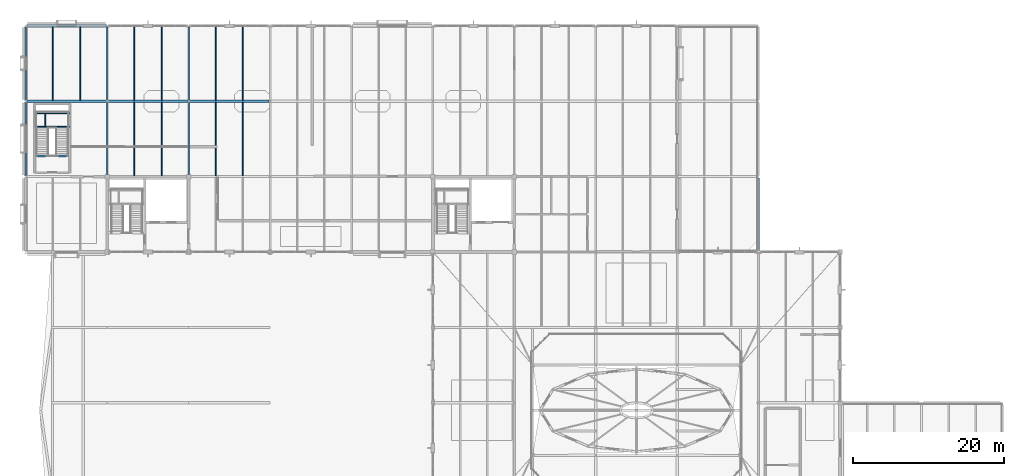
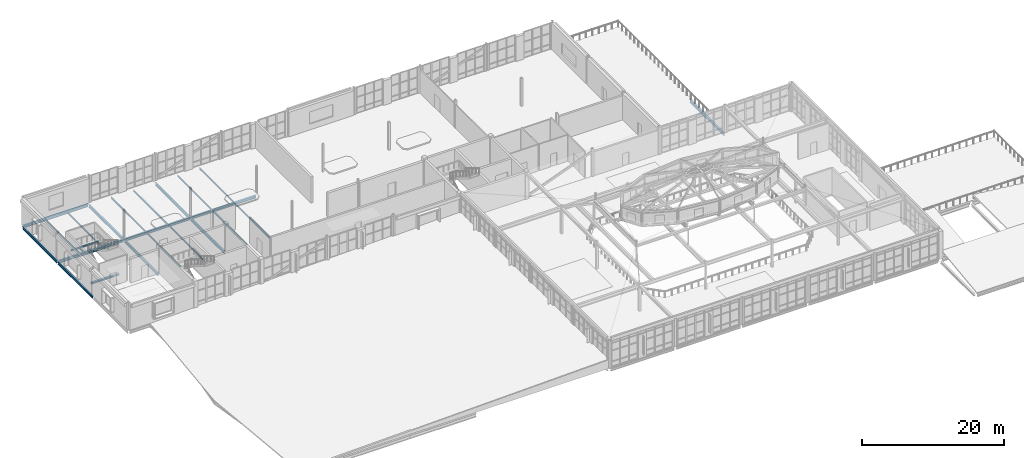
# One storey, part 45 of 86: 25 beams.
"""IFC4 building model written with IfcOpenShell, lengths in metres."""

from ifc_helpers import new_model, si_unit, direction, frame, origin, origin_2d, place, context, subcontext, project, spatial, i_section, extrude, material, material_profile, profile_set, type_object, element, save


model = new_model("IFC4")

# Units and contexts
model_context = context("Model", 3, precision=1e-05, world=origin(), true_north=direction((0.0, 1.0)))
body_context = subcontext(model_context, "Body", "Model", "MODEL_VIEW")
ifc_project = project(units=[si_unit("LENGTHUNIT", "METRE"), si_unit("AREAUNIT", "SQUARE_METRE"), si_unit("VOLUMEUNIT", "CUBIC_METRE"), si_unit("PLANEANGLEUNIT", "RADIAN"), si_unit("MASSUNIT", "GRAM", prefix="KILO")], contexts=[model_context])

# Site, building, storey
site_placement = place(None, origin())
site = spatial("IfcSite", under=ifc_project, at=site_placement, CompositionType="ELEMENT")
building_placement = place(site_placement, origin())
building = spatial("IfcBuilding", under=site, at=building_placement, Name="Tasgan Crest Museum", CompositionType="ELEMENT")
storey_placement = place(building_placement, frame((0.0, 0.0, 24.0)))
storey = spatial("IfcBuildingStorey", under=building, at=storey_placement, Name="L04", CompositionType="ELEMENT", Elevation=24.0)

# Beams
ifc_material_1 = material(Name="Steel S355J2", Category="steel")
ifc_material_profile_1 = material_profile(ifc_material_1, i_section(OverallWidth=0.300048828125, OverallDepth=0.43994140625, WebThickness=0.011474609375, FlangeThickness=0.02099609375, FilletRadius=0.027099609375, at=origin_2d()), Name="HEA 450")
ifc_profile_set_1 = profile_set([ifc_material_profile_1], Name="Steel S355J2")
beam_type_1 = type_object("IfcBeamType", Name="BM-G-HEA450", PredefinedType="BEAM", material=ifc_profile_set_1)
for number, where, z_axis, x_axis, name in (
    (1, (0.1259765625, 102.0, -0.4599609375), (1.0, 0.0, 0.0), (0.0, 1.0, 0.0), "Girder L04 L 0.0-10.8"),
    (2, (10.926025390625, 102.0, -0.4599609375), (1.0, 0.0, 0.0), (0.0, 1.0, 0.0), "Girder L04 L 10.8-21.6"),
):
    element("IfcBeam", number, at=place(storey_placement, frame(where, z_axis=z_axis, x_axis=x_axis)), inside=storey, type_object=beam_type_1, Name=name, PredefinedType="BEAM", context=body_context, shape_type="SweptSolid", body=[
        extrude(i_section(OverallWidth=0.300048828125, OverallDepth=0.43994140625, WebThickness=0.011474609375, FlangeThickness=0.02099609375, FilletRadius=0.027099609375, at=origin_2d()), origin(), (0.0, 0.0, 1.0), 10.548095703125),
    ])
beam_1_placement = place(storey_placement, frame((21.72607421875, 102.0, -0.4599609375), z_axis=(1.0, 0.0, 0.0), x_axis=(0.0, 1.0, 0.0)))
element("IfcBeam", 3, at=beam_1_placement, inside=storey, type_object=beam_type_1, Name="Girder L04 L 21.6-32.4", PredefinedType="BEAM", context=body_context, shape_type="SweptSolid", body=[
    extrude(i_section(OverallWidth=0.300048828125, OverallDepth=0.43994140625, WebThickness=0.011474609375, FlangeThickness=0.02099609375, FilletRadius=0.027099609375, at=origin_2d()), origin(), (0.0, 0.0, 1.0), 10.5478515625),
])
beam_2_placement = place(storey_placement, frame((0.1259765625, 112.0, -0.4599609375), z_axis=(1.0, 0.0, 0.0), x_axis=(0.0, 1.0, 0.0)))
element("IfcBeam", 4, at=beam_2_placement, inside=storey, type_object=beam_type_1, Name="Girder L04 M 0.0-10.8", PredefinedType="BEAM", context=body_context, shape_type="SweptSolid", body=[
    extrude(i_section(OverallWidth=0.300048828125, OverallDepth=0.43994140625, WebThickness=0.011474609375, FlangeThickness=0.02099609375, FilletRadius=0.027099609375, at=origin_2d()), origin(), (0.0, 0.0, 1.0), 10.548095703125),
])
ifc_material_2 = material(Name="Steel S355J2", Category="steel")
ifc_material_profile_2 = material_profile(ifc_material_2, i_section(OverallWidth=0.300048828125, OverallDepth=0.300048828125, WebThickness=0.010986328125, FlangeThickness=0.01904296875, FilletRadius=0.027099609375, at=origin_2d()), Name="HEB 300")
ifc_profile_set_2 = profile_set([ifc_material_profile_2], Name="Steel S355J2")
beam_type_2 = type_object("IfcBeamType", Name="BM-G-HEB300", PredefinedType="BEAM", material=ifc_profile_set_2)
beam_3_placement = place(storey_placement, frame((1.179931640625, 94.75, -0.14990234375), z_axis=(1.0, 0.0, 0.0), x_axis=(0.0, 1.0, 0.0)))
element("IfcBeam", 5, at=beam_3_placement, inside=storey, type_object=beam_type_2, Name="Stair threshold trimmer beam ST-GW-L04", PredefinedType="BEAM", context=body_context, shape_type="SweptSolid", body=[
    extrude(i_section(OverallWidth=0.300048828125, OverallDepth=0.300048828125, WebThickness=0.010986328125, FlangeThickness=0.01904296875, FilletRadius=0.027099609375, at=origin_2d()), origin(), (0.0, 0.0, 1.0), 4.64013671875),
])
ifc_material_3 = material(Name="Steel S355J2", Category="steel")
ifc_material_profile_3 = material_profile(ifc_material_3, i_section(OverallWidth=0.199951171875, OverallDepth=0.5, WebThickness=0.01025390625, FlangeThickness=0.01611328125, FilletRadius=0.02099609375, at=origin_2d()), Name="IPE 500")
ifc_profile_set_3 = profile_set([ifc_material_profile_3], Name="Steel S355J2")
beam_type_3 = type_object("IfcBeamType", Name="BM-G-IPE500", PredefinedType="BEAM", material=ifc_profile_set_3)
for number, where, z_axis, x_axis, name in (
    (6, (0.0, 92.125, -0.489990234375), (0.0, 1.0, 0.0), (-1.0, 0.0, 0.0), "Beam L04 1 92.0-102.0"),
    (7, (0.0, 102.125, -0.489990234375), (0.0, 1.0, 0.0), (-1.0, 0.0, 0.0), "Beam L04 1 102.0-112.0"),
):
    element("IfcBeam", number, at=place(storey_placement, frame(where, z_axis=z_axis, x_axis=x_axis)), inside=storey, type_object=beam_type_3, Name=name, PredefinedType="BEAM", context=body_context, shape_type="SweptSolid", body=[
        extrude(i_section(OverallWidth=0.199951171875, OverallDepth=0.5, WebThickness=0.01025390625, FlangeThickness=0.01611328125, FilletRadius=0.02099609375, at=origin_2d()), origin(), (0.0, 0.0, 1.0), 9.75),
    ])
beam_4_placement = place(storey_placement, frame((10.800048828125, 92.294921875, -0.489990234375), z_axis=(0.0, 1.0, 0.0), x_axis=(-1.0, 0.0, 0.0)))
element("IfcBeam", 8, at=beam_4_placement, inside=storey, type_object=beam_type_3, Name="Beam L04 2 92.0-102.0", PredefinedType="BEAM", context=body_context, shape_type="SweptSolid", body=[
    extrude(i_section(OverallWidth=0.199951171875, OverallDepth=0.5, WebThickness=0.01025390625, FlangeThickness=0.01611328125, FilletRadius=0.02099609375, at=origin_2d()), origin(), (0.0, 0.0, 1.0), 9.580078125),
])
beam_5_placement = place(storey_placement, frame((10.800048828125, 102.125, -0.489990234375), z_axis=(0.0, 1.0, 0.0), x_axis=(-1.0, 0.0, 0.0)))
element("IfcBeam", 9, at=beam_5_placement, inside=storey, type_object=beam_type_3, Name="Beam L04 2 102.0-112.0", PredefinedType="BEAM", context=body_context, shape_type="SweptSolid", body=[
    extrude(i_section(OverallWidth=0.199951171875, OverallDepth=0.5, WebThickness=0.01025390625, FlangeThickness=0.01611328125, FilletRadius=0.02099609375, at=origin_2d()), origin(), (0.0, 0.0, 1.0), 9.75),
])
beam_6_placement = place(storey_placement, frame((21.60009765625, 92.294921875, -0.489990234375), z_axis=(0.0, 1.0, 0.0), x_axis=(-1.0, 0.0, 0.0)))
element("IfcBeam", 10, at=beam_6_placement, inside=storey, type_object=beam_type_3, Name="Beam L04 3 92.0-102.0", PredefinedType="BEAM", context=body_context, shape_type="SweptSolid", body=[
    extrude(i_section(OverallWidth=0.199951171875, OverallDepth=0.5, WebThickness=0.01025390625, FlangeThickness=0.01611328125, FilletRadius=0.02099609375, at=origin_2d()), origin(), (0.0, 0.0, 1.0), 9.580078125),
])
beam_7_placement = place(storey_placement, frame((21.60009765625, 102.125, -0.489990234375), z_axis=(0.0, 1.0, 0.0), x_axis=(-1.0, 0.0, 0.0)))
element("IfcBeam", 11, at=beam_7_placement, inside=storey, type_object=beam_type_3, Name="Beam L04 3 102.0-112.0", PredefinedType="BEAM", context=body_context, shape_type="SweptSolid", body=[
    extrude(i_section(OverallWidth=0.199951171875, OverallDepth=0.5, WebThickness=0.01025390625, FlangeThickness=0.01611328125, FilletRadius=0.02099609375, at=origin_2d()), origin(), (0.0, 0.0, 1.0), 9.75),
])
beam_8_placement = place(storey_placement, frame((97.199951171875, 82.14501953125, -0.5), z_axis=(0.0, 1.0, 0.0), x_axis=(-1.0, 0.0, 0.0)))
element("IfcBeam", 12, at=beam_8_placement, inside=storey, type_object=beam_type_3, Name="Beam L04 10 82.0-92.0", PredefinedType="BEAM", context=body_context, shape_type="SweptSolid", body=[
    extrude(i_section(OverallWidth=0.199951171875, OverallDepth=0.5, WebThickness=0.01025390625, FlangeThickness=0.01611328125, FilletRadius=0.02099609375, at=origin_2d()), origin(), (0.0, 0.0, 1.0), 9.68505859375),
])
ifc_material_4 = material(Name="Steel S355J2", Category="steel")
ifc_material_profile_4 = material_profile(ifc_material_4, i_section(OverallWidth=0.135009765625, OverallDepth=0.27001953125, WebThickness=0.006591796875, FlangeThickness=0.01025390625, FilletRadius=0.014892578125, at=origin_2d()), Name="IPE 270")
ifc_profile_set_4 = profile_set([ifc_material_profile_4], Name="Steel S355J2")
beam_type_4 = type_object("IfcBeamType", Name="BM-J-IPE270", PredefinedType="JOIST", material=ifc_profile_set_4)
for number, where, z_axis, x_axis, name in (
    (13, (3.60009765625, 102.14501953125, -0.375), (0.0, 1.0, 0.0), (-1.0, 0.0, 0.0), "Secondary joist L04 X=3.6 Y=102.0-112.0"),
    (14, (7.199951171875, 102.14501953125, -0.375), (0.0, 1.0, 0.0), (-1.0, 0.0, 0.0), "Secondary joist L04 X=7.2 Y=102.0-112.0"),
    (15, (14.39990234375, 92.14501953125, -0.375), (0.0, 1.0, 0.0), (-1.0, 0.0, 0.0), "Secondary joist L04 X=14.4 Y=92.0-102.0"),
    (16, (18.0, 92.14501953125, -0.375), (0.0, 1.0, 0.0), (-1.0, 0.0, 0.0), "Secondary joist L04 X=18.0 Y=92.0-102.0"),
    (17, (14.39990234375, 102.14501953125, -0.375), (0.0, 1.0, 0.0), (-1.0, 0.0, 0.0), "Secondary joist L04 X=14.4 Y=102.0-112.0"),
    (18, (18.0, 102.14501953125, -0.375), (0.0, 1.0, 0.0), (-1.0, 0.0, 0.0), "Secondary joist L04 X=18.0 Y=102.0-112.0"),
    (19, (25.199951171875, 92.14501953125, -0.375), (0.0, 1.0, 0.0), (-1.0, 0.0, 0.0), "Secondary joist L04 X=25.2 Y=92.0-102.0"),
    (20, (28.800048828125, 92.14501953125, -0.375), (0.0, 1.0, 0.0), (-1.0, 0.0, 0.0), "Secondary joist L04 X=28.8 Y=92.0-102.0"),
    (21, (25.199951171875, 102.14501953125, -0.375), (0.0, 1.0, 0.0), (-1.0, 0.0, 0.0), "Secondary joist L04 X=25.2 Y=102.0-112.0"),
    (22, (28.800048828125, 102.14501953125, -0.375), (0.0, 1.0, 0.0), (-1.0, 0.0, 0.0), "Secondary joist L04 X=28.8 Y=102.0-112.0"),
):
    element("IfcBeam", number, at=place(storey_placement, frame(where, z_axis=z_axis, x_axis=x_axis)), inside=storey, type_object=beam_type_4, Name=name, PredefinedType="JOIST", context=body_context, shape_type="SweptSolid", body=[
        extrude(i_section(OverallWidth=0.135009765625, OverallDepth=0.27001953125, WebThickness=0.006591796875, FlangeThickness=0.01025390625, FilletRadius=0.014892578125, at=origin_2d()), origin(), (0.0, 0.0, 1.0), 9.7099609375),
    ])
ifc_material_5 = material(Name="Steel S355J2", Category="steel")
ifc_material_profile_5 = material_profile(ifc_material_5, i_section(OverallWidth=0.1201171875, OverallDepth=0.239990234375, WebThickness=0.006103515625, FlangeThickness=0.009765625, FilletRadius=0.014892578125, at=origin_2d()), Name="IPE 240")
ifc_profile_set_5 = profile_set([ifc_material_profile_5], Name="Steel S355J2")
beam_type_5 = type_object("IfcBeamType", Name="BM-LAND-IPE240", PredefinedType="BEAM", material=ifc_profile_set_5)
beam_9_placement = place(storey_placement, frame((2.550048828125, 98.6650390625, 2.080078125), z_axis=(0.0, 1.0, 0.0), x_axis=(-1.0, 0.0, 0.0)))
element("IfcBeam", 23, at=beam_9_placement, inside=storey, type_object=beam_type_5, Name="Stair half-landing crossbeam ST-GW-L04 T1", PredefinedType="BEAM", context=body_context, shape_type="SweptSolid", body=[
    extrude(i_section(OverallWidth=0.1201171875, OverallDepth=0.239990234375, WebThickness=0.006103515625, FlangeThickness=0.009765625, FilletRadius=0.014892578125, at=origin_2d()), origin(), (0.0, 0.0, 1.0), 1.679931640625),
])
ifc_material_6 = material(Name="Steel S355J2", Category="steel")
ifc_material_profile_6 = material_profile(ifc_material_6, i_section(OverallWidth=0.135009765625, OverallDepth=0.27001953125, WebThickness=0.006591796875, FlangeThickness=0.01025390625, FilletRadius=0.014892578125, at=origin_2d()), Name="IPE 270")
ifc_profile_set_6 = profile_set([ifc_material_profile_6], Name="Steel S355J2")
beam_type_6 = type_object("IfcBeamType", Name="BM-LAND-IPE270", PredefinedType="BEAM", material=ifc_profile_set_6)
for number, where, z_axis, x_axis, name in (
    (24, (1.179931640625, 98.60498046875, 2.06494140625), (1.0, 0.0, 0.0), (0.0, 1.0, 0.0), "Stair half-landing beam ST-GW-L04 T1F"),
    (25, (1.179931640625, 100.405029296875, 2.06494140625), (1.0, 0.0, 0.0), (0.0, 1.0, 0.0), "Stair half-landing beam ST-GW-L04 T1B"),
):
    element("IfcBeam", number, at=place(storey_placement, frame(where, z_axis=z_axis, x_axis=x_axis)), inside=storey, type_object=beam_type_6, Name=name, PredefinedType="BEAM", context=body_context, shape_type="SweptSolid", body=[
        extrude(i_section(OverallWidth=0.135009765625, OverallDepth=0.27001953125, WebThickness=0.006591796875, FlangeThickness=0.01025390625, FilletRadius=0.014892578125, at=origin_2d()), origin(), (0.0, 0.0, 1.0), 4.64013671875),
    ])

save(model, "model.ifc")
